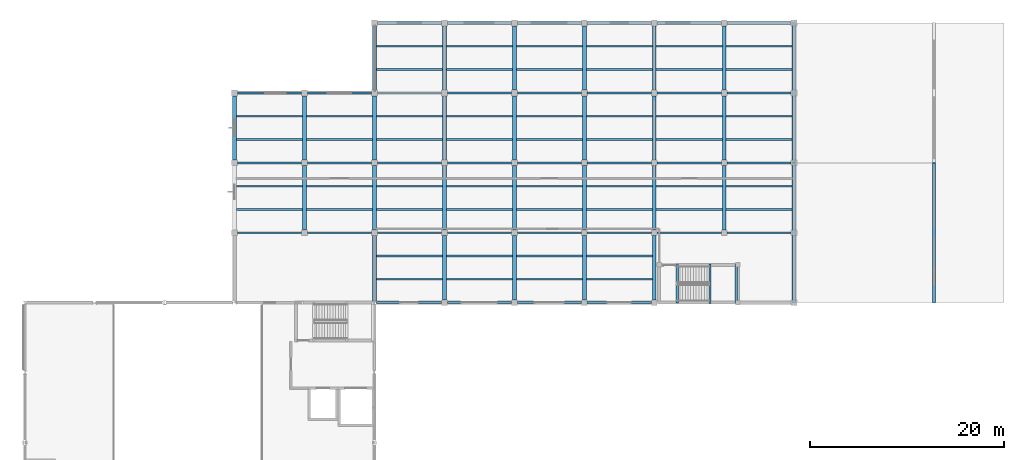
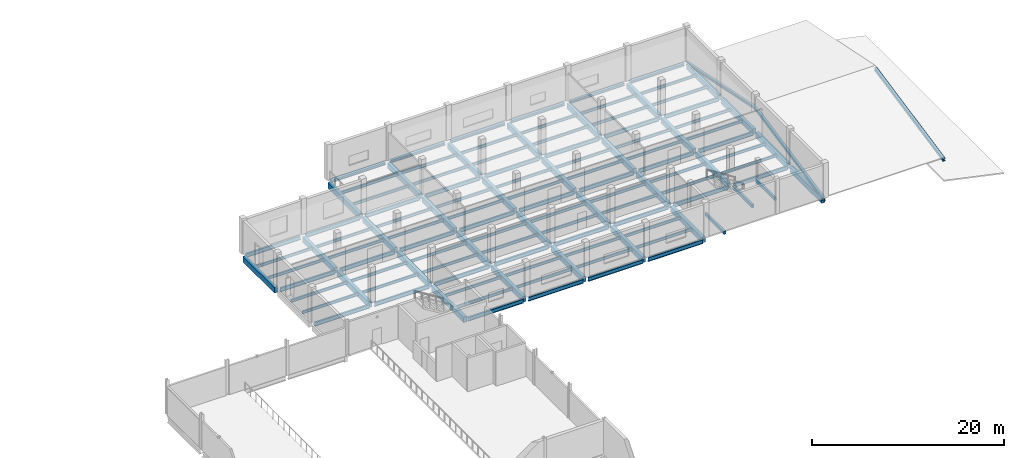
# One storey, part 29 of 76: 122 beams.
"""IFC4 building model written with IfcOpenShell, lengths in metres."""

from ifc_helpers import new_model, si_unit, direction, frame, origin, origin_2d, place, context, subcontext, project, spatial, rectangle, i_section, extrude, material, material_profile, profile_set, type_object, element, save


model = new_model("IFC4")

# Units and contexts
model_context = context("Model", 3, precision=1e-05, world=origin(), true_north=direction((0.0, 1.0)))
body_context = subcontext(model_context, "Body", "Model", "MODEL_VIEW")
ifc_project = project(units=[si_unit("LENGTHUNIT", "METRE"), si_unit("AREAUNIT", "SQUARE_METRE"), si_unit("VOLUMEUNIT", "CUBIC_METRE"), si_unit("PLANEANGLEUNIT", "RADIAN"), si_unit("MASSUNIT", "GRAM", prefix="KILO"), si_unit("THERMODYNAMICTEMPERATUREUNIT", "KELVIN"), si_unit("POWERUNIT", "WATT")], contexts=[model_context])

# Site, building, storey
site_placement = place(None, origin())
site = spatial("IfcSite", under=ifc_project, at=site_placement, CompositionType="ELEMENT")
building_placement = place(site_placement, origin())
building = spatial("IfcBuilding", under=site, at=building_placement, Name="Kaldorven Railside Theatre", CompositionType="ELEMENT")
storey_placement = place(building_placement, frame((0.0, 0.0, 14.39990234375)))
storey = spatial("IfcBuildingStorey", under=building, at=storey_placement, Name="L03", CompositionType="ELEMENT", Elevation=14.39990234375)

# Beams
ifc_material_1 = material(Name="Steel S355", Category="steel")
ifc_material_profile_1 = material_profile(ifc_material_1, i_section(OverallWidth=0.300048828125, OverallDepth=0.340087890625, WebThickness=0.011962890625, FlangeThickness=0.021484375, at=origin_2d()), Name="HEB 340")
ifc_profile_set_1 = profile_set([ifc_material_profile_1], Name="Steel S355")
beam_type_1 = type_object("IfcBeamType", Name="BM-HEB340", PredefinedType="SPANDREL", material=ifc_profile_set_1)
for number, where, z_axis, x_axis, name in (
    (1, (123.5, 141.60009765625, -0.449951171875), (1.0, 0.0, 0.0), (0.0, 1.0, 0.0), "L03 Girder BGX-L03-123-141"),
    (2, (130.699951171875, 141.60009765625, -0.449951171875), (1.0, 0.0, 0.0), (0.0, 1.0, 0.0), "L03 Girder BGX-L03-130-141"),
    (3, (137.89990234375, 141.60009765625, -0.449951171875), (1.0, 0.0, 0.0), (0.0, 1.0, 0.0), "L03 Girder BGX-L03-137-141"),
):
    element("IfcBeam", number, at=place(storey_placement, frame(where, z_axis=z_axis, x_axis=x_axis)), inside=storey, type_object=beam_type_1, Name=name, PredefinedType="SPANDREL", context=body_context, shape_type="SweptSolid", body=[
        extrude(i_section(OverallWidth=0.300048828125, OverallDepth=0.340087890625, WebThickness=0.011962890625, FlangeThickness=0.021484375, at=origin_2d()), origin(), (0.0, 0.0, 1.0), 6.60009765625),
    ])
for number, where, z_axis, x_axis, name in (
    (4, (145.10009765625, 141.60009765625, -0.449951171875), (1.0, 0.0, 0.0), (0.0, 1.0, 0.0), "L03 Girder BGX-L03-144-141"),
    (5, (152.300048828125, 141.60009765625, -0.449951171875), (1.0, 0.0, 0.0), (0.0, 1.0, 0.0), "L03 Girder BGX-L03-152-141"),
):
    element("IfcBeam", number, at=place(storey_placement, frame(where, z_axis=z_axis, x_axis=x_axis)), inside=storey, type_object=beam_type_1, Name=name, PredefinedType="SPANDREL", context=body_context, shape_type="SweptSolid", body=[
        extrude(i_section(OverallWidth=0.300048828125, OverallDepth=0.340087890625, WebThickness=0.011962890625, FlangeThickness=0.021484375, at=origin_2d()), origin(), (0.0, 0.0, 1.0), 6.599853515625),
    ])
beam_1_placement = place(storey_placement, frame((159.5, 141.60009765625, -0.449951171875), z_axis=(1.0, 0.0, 0.0), x_axis=(0.0, 1.0, 0.0)))
element("IfcBeam", 6, at=beam_1_placement, inside=storey, type_object=beam_type_1, Name="L03 Girder BGX-L03-159-141", PredefinedType="SPANDREL", context=body_context, shape_type="SweptSolid", body=[
    extrude(i_section(OverallWidth=0.300048828125, OverallDepth=0.340087890625, WebThickness=0.011962890625, FlangeThickness=0.021484375, at=origin_2d()), origin(), (0.0, 0.0, 1.0), 6.60009765625),
])
for number, where, z_axis, x_axis, name in (
    (7, (166.39990234375, 112.800048828125, -0.368408203125), (0.0, 0.979654560506, 0.200691160941), (-1.0, 0.0, 0.0), "Backstage Monsoon Roof Rafter RAF-165"),
    (8, (180.800048828125, 112.800048828125, -0.368408203125), (0.0, 0.979654560506, 0.200691160941), (-1.0, 0.0, 0.0), "Backstage Monsoon Roof Rafter RAF-166"),
):
    element("IfcBeam", number, at=place(storey_placement, frame(where, z_axis=z_axis, x_axis=x_axis)), inside=storey, type_object=beam_type_1, Name=name, PredefinedType="SPANDREL", context=body_context, shape_type="SweptSolid", body=[
        extrude(i_section(OverallWidth=0.300048828125, OverallDepth=0.340087890625, WebThickness=0.011962890625, FlangeThickness=0.021484375, at=origin_2d()), origin(), (0.0, 0.0, 1.0), 14.698974609375),
    ])
beam_2_placement = place(storey_placement, frame((166.39990234375, 127.199951171875, 2.58154296875), z_axis=(0.0, 0.979655229465, -0.200687895455), x_axis=(-1.0, 0.0, 0.0)))
element("IfcBeam", 9, at=beam_2_placement, inside=storey, type_object=beam_type_1, Name="Backstage Monsoon Roof Rafter RAF-167", PredefinedType="SPANDREL", context=body_context, shape_type="SweptSolid", body=[
    extrude(i_section(OverallWidth=0.300048828125, OverallDepth=0.340087890625, WebThickness=0.011962890625, FlangeThickness=0.021484375, at=origin_2d()), origin(), (0.0, 0.0, 1.0), 14.69921875),
])
ifc_material_profile_2 = material_profile(ifc_material_1, i_section(OverallWidth=0.169921875, OverallDepth=0.360107421875, WebThickness=0.008056640625, FlangeThickness=0.0126953125, at=origin_2d()), Name="IPE 360")
ifc_profile_set_2 = profile_set([ifc_material_profile_2], Name="Steel S355")
beam_type_2 = type_object("IfcBeamType", Name="BM-IPE360", PredefinedType="JOIST", material=ifc_profile_set_2)
for number, where, z_axis, x_axis, name in (
    (10, (123.39990234375, 115.199951171875, -0.4599609375), (1.0, 0.0, 0.0), (0.0, 1.0, 0.0), "L03 Secondary Floor Joist JG-L03-123-1152"),
    (11, (123.39990234375, 117.60009765625, -0.4599609375), (1.0, 0.0, 0.0), (0.0, 1.0, 0.0), "L03 Secondary Floor Joist JG-L03-123-1176"),
):
    element("IfcBeam", number, at=place(storey_placement, frame(where, z_axis=z_axis, x_axis=x_axis)), inside=storey, type_object=beam_type_2, Name=name, PredefinedType="JOIST", context=body_context, shape_type="SweptSolid", body=[
        extrude(i_section(OverallWidth=0.169921875, OverallDepth=0.360107421875, WebThickness=0.008056640625, FlangeThickness=0.0126953125, at=origin_2d()), origin(), (0.0, 0.0, 1.0), 6.800048828125),
    ])
for number, where, z_axis, x_axis, name in (
    (12, (130.60009765625, 115.199951171875, -0.4599609375), (1.0, 0.0, 0.0), (0.0, 1.0, 0.0), "L03 Secondary Floor Joist JG-L03-130-1152"),
    (13, (130.60009765625, 117.60009765625, -0.4599609375), (1.0, 0.0, 0.0), (0.0, 1.0, 0.0), "L03 Secondary Floor Joist JG-L03-130-1176"),
):
    element("IfcBeam", number, at=place(storey_placement, frame(where, z_axis=z_axis, x_axis=x_axis)), inside=storey, type_object=beam_type_2, Name=name, PredefinedType="JOIST", context=body_context, shape_type="SweptSolid", body=[
        extrude(i_section(OverallWidth=0.169921875, OverallDepth=0.360107421875, WebThickness=0.008056640625, FlangeThickness=0.0126953125, at=origin_2d()), origin(), (0.0, 0.0, 1.0), 6.7998046875),
    ])
for number, where, z_axis, x_axis, name in (
    (14, (137.800048828125, 115.199951171875, -0.4599609375), (1.0, 0.0, 0.0), (0.0, 1.0, 0.0), "L03 Secondary Floor Joist JG-L03-137-1152"),
    (15, (137.800048828125, 117.60009765625, -0.4599609375), (1.0, 0.0, 0.0), (0.0, 1.0, 0.0), "L03 Secondary Floor Joist JG-L03-137-1176"),
    (16, (145.0, 115.199951171875, -0.4599609375), (1.0, 0.0, 0.0), (0.0, 1.0, 0.0), "L03 Secondary Floor Joist JG-L03-144-1152"),
    (17, (145.0, 117.60009765625, -0.4599609375), (1.0, 0.0, 0.0), (0.0, 1.0, 0.0), "L03 Secondary Floor Joist JG-L03-144-1176"),
    (18, (109.0, 122.39990234375, -0.4599609375), (1.0, 0.0, 0.0), (0.0, 1.0, 0.0), "L03 Secondary Floor Joist JG-L03-108-1224"),
    (19, (109.0, 124.800048828125, -0.4599609375), (1.0, 0.0, 0.0), (0.0, 1.0, 0.0), "L03 Secondary Floor Joist JG-L03-108-1248"),
    (20, (116.199951171875, 122.39990234375, -0.4599609375), (1.0, 0.0, 0.0), (0.0, 1.0, 0.0), "L03 Secondary Floor Joist JG-L03-116-1224"),
    (21, (116.199951171875, 124.800048828125, -0.4599609375), (1.0, 0.0, 0.0), (0.0, 1.0, 0.0), "L03 Secondary Floor Joist JG-L03-116-1248"),
    (22, (123.39990234375, 122.39990234375, -0.4599609375), (1.0, 0.0, 0.0), (0.0, 1.0, 0.0), "L03 Secondary Floor Joist JG-L03-123-1224"),
    (23, (123.39990234375, 124.800048828125, -0.4599609375), (1.0, 0.0, 0.0), (0.0, 1.0, 0.0), "L03 Secondary Floor Joist JG-L03-123-1248"),
):
    element("IfcBeam", number, at=place(storey_placement, frame(where, z_axis=z_axis, x_axis=x_axis)), inside=storey, type_object=beam_type_2, Name=name, PredefinedType="JOIST", context=body_context, shape_type="SweptSolid", body=[
        extrude(i_section(OverallWidth=0.169921875, OverallDepth=0.360107421875, WebThickness=0.008056640625, FlangeThickness=0.0126953125, at=origin_2d()), origin(), (0.0, 0.0, 1.0), 6.800048828125),
    ])
for number, where, z_axis, x_axis, name in (
    (24, (130.60009765625, 122.39990234375, -0.4599609375), (1.0, 0.0, 0.0), (0.0, 1.0, 0.0), "L03 Secondary Floor Joist JG-L03-130-1224"),
    (25, (130.60009765625, 124.800048828125, -0.4599609375), (1.0, 0.0, 0.0), (0.0, 1.0, 0.0), "L03 Secondary Floor Joist JG-L03-130-1248"),
):
    element("IfcBeam", number, at=place(storey_placement, frame(where, z_axis=z_axis, x_axis=x_axis)), inside=storey, type_object=beam_type_2, Name=name, PredefinedType="JOIST", context=body_context, shape_type="SweptSolid", body=[
        extrude(i_section(OverallWidth=0.169921875, OverallDepth=0.360107421875, WebThickness=0.008056640625, FlangeThickness=0.0126953125, at=origin_2d()), origin(), (0.0, 0.0, 1.0), 6.7998046875),
    ])
for number, where, z_axis, x_axis, name in (
    (26, (137.800048828125, 122.39990234375, -0.4599609375), (1.0, 0.0, 0.0), (0.0, 1.0, 0.0), "L03 Secondary Floor Joist JG-L03-137-1224"),
    (27, (137.800048828125, 124.800048828125, -0.4599609375), (1.0, 0.0, 0.0), (0.0, 1.0, 0.0), "L03 Secondary Floor Joist JG-L03-137-1248"),
    (28, (145.0, 122.39990234375, -0.4599609375), (1.0, 0.0, 0.0), (0.0, 1.0, 0.0), "L03 Secondary Floor Joist JG-L03-144-1224"),
    (29, (145.0, 124.800048828125, -0.4599609375), (1.0, 0.0, 0.0), (0.0, 1.0, 0.0), "L03 Secondary Floor Joist JG-L03-144-1248"),
    (30, (152.199951171875, 122.39990234375, -0.4599609375), (1.0, 0.0, 0.0), (0.0, 1.0, 0.0), "L03 Secondary Floor Joist JG-L03-152-1224"),
    (31, (152.199951171875, 124.800048828125, -0.4599609375), (1.0, 0.0, 0.0), (0.0, 1.0, 0.0), "L03 Secondary Floor Joist JG-L03-152-1248"),
    (32, (159.39990234375, 122.39990234375, -0.4599609375), (1.0, 0.0, 0.0), (0.0, 1.0, 0.0), "L03 Secondary Floor Joist JG-L03-159-1224"),
    (33, (159.39990234375, 124.800048828125, -0.4599609375), (1.0, 0.0, 0.0), (0.0, 1.0, 0.0), "L03 Secondary Floor Joist JG-L03-159-1248"),
    (34, (109.0, 129.60009765625, -0.4599609375), (1.0, 0.0, 0.0), (0.0, 1.0, 0.0), "L03 Secondary Floor Joist JG-L03-108-1296"),
    (35, (109.0, 132.0, -0.4599609375), (1.0, 0.0, 0.0), (0.0, 1.0, 0.0), "L03 Secondary Floor Joist JG-L03-108-1320"),
    (36, (116.199951171875, 129.60009765625, -0.4599609375), (1.0, 0.0, 0.0), (0.0, 1.0, 0.0), "L03 Secondary Floor Joist JG-L03-116-1296"),
    (37, (116.199951171875, 132.0, -0.4599609375), (1.0, 0.0, 0.0), (0.0, 1.0, 0.0), "L03 Secondary Floor Joist JG-L03-116-1320"),
    (38, (123.39990234375, 129.60009765625, -0.4599609375), (1.0, 0.0, 0.0), (0.0, 1.0, 0.0), "L03 Secondary Floor Joist JG-L03-123-1296"),
    (39, (123.39990234375, 132.0, -0.4599609375), (1.0, 0.0, 0.0), (0.0, 1.0, 0.0), "L03 Secondary Floor Joist JG-L03-123-1320"),
):
    element("IfcBeam", number, at=place(storey_placement, frame(where, z_axis=z_axis, x_axis=x_axis)), inside=storey, type_object=beam_type_2, Name=name, PredefinedType="JOIST", context=body_context, shape_type="SweptSolid", body=[
        extrude(i_section(OverallWidth=0.169921875, OverallDepth=0.360107421875, WebThickness=0.008056640625, FlangeThickness=0.0126953125, at=origin_2d()), origin(), (0.0, 0.0, 1.0), 6.800048828125),
    ])
for number, where, z_axis, x_axis, name in (
    (40, (130.60009765625, 129.60009765625, -0.4599609375), (1.0, 0.0, 0.0), (0.0, 1.0, 0.0), "L03 Secondary Floor Joist JG-L03-130-1296"),
    (41, (130.60009765625, 132.0, -0.4599609375), (1.0, 0.0, 0.0), (0.0, 1.0, 0.0), "L03 Secondary Floor Joist JG-L03-130-1320"),
):
    element("IfcBeam", number, at=place(storey_placement, frame(where, z_axis=z_axis, x_axis=x_axis)), inside=storey, type_object=beam_type_2, Name=name, PredefinedType="JOIST", context=body_context, shape_type="SweptSolid", body=[
        extrude(i_section(OverallWidth=0.169921875, OverallDepth=0.360107421875, WebThickness=0.008056640625, FlangeThickness=0.0126953125, at=origin_2d()), origin(), (0.0, 0.0, 1.0), 6.7998046875),
    ])
for number, where, z_axis, x_axis, name in (
    (42, (137.800048828125, 129.60009765625, -0.4599609375), (1.0, 0.0, 0.0), (0.0, 1.0, 0.0), "L03 Secondary Floor Joist JG-L03-137-1296"),
    (43, (137.800048828125, 132.0, -0.4599609375), (1.0, 0.0, 0.0), (0.0, 1.0, 0.0), "L03 Secondary Floor Joist JG-L03-137-1320"),
    (44, (145.0, 129.60009765625, -0.4599609375), (1.0, 0.0, 0.0), (0.0, 1.0, 0.0), "L03 Secondary Floor Joist JG-L03-144-1296"),
    (45, (145.0, 132.0, -0.4599609375), (1.0, 0.0, 0.0), (0.0, 1.0, 0.0), "L03 Secondary Floor Joist JG-L03-144-1320"),
    (46, (152.199951171875, 129.60009765625, -0.4599609375), (1.0, 0.0, 0.0), (0.0, 1.0, 0.0), "L03 Secondary Floor Joist JG-L03-152-1296"),
    (47, (152.199951171875, 132.0, -0.4599609375), (1.0, 0.0, 0.0), (0.0, 1.0, 0.0), "L03 Secondary Floor Joist JG-L03-152-1320"),
    (48, (159.39990234375, 129.60009765625, -0.4599609375), (1.0, 0.0, 0.0), (0.0, 1.0, 0.0), "L03 Secondary Floor Joist JG-L03-159-1296"),
    (49, (159.39990234375, 132.0, -0.4599609375), (1.0, 0.0, 0.0), (0.0, 1.0, 0.0), "L03 Secondary Floor Joist JG-L03-159-1320"),
    (50, (123.39990234375, 136.800048828125, -0.4599609375), (1.0, 0.0, 0.0), (0.0, 1.0, 0.0), "L03 Secondary Floor Joist JG-L03-123-1368"),
    (51, (123.39990234375, 139.199951171875, -0.4599609375), (1.0, 0.0, 0.0), (0.0, 1.0, 0.0), "L03 Secondary Floor Joist JG-L03-123-1392"),
):
    element("IfcBeam", number, at=place(storey_placement, frame(where, z_axis=z_axis, x_axis=x_axis)), inside=storey, type_object=beam_type_2, Name=name, PredefinedType="JOIST", context=body_context, shape_type="SweptSolid", body=[
        extrude(i_section(OverallWidth=0.169921875, OverallDepth=0.360107421875, WebThickness=0.008056640625, FlangeThickness=0.0126953125, at=origin_2d()), origin(), (0.0, 0.0, 1.0), 6.800048828125),
    ])
for number, where, z_axis, x_axis, name in (
    (52, (130.60009765625, 136.800048828125, -0.4599609375), (1.0, 0.0, 0.0), (0.0, 1.0, 0.0), "L03 Secondary Floor Joist JG-L03-130-1368"),
    (53, (130.60009765625, 139.199951171875, -0.4599609375), (1.0, 0.0, 0.0), (0.0, 1.0, 0.0), "L03 Secondary Floor Joist JG-L03-130-1392"),
):
    element("IfcBeam", number, at=place(storey_placement, frame(where, z_axis=z_axis, x_axis=x_axis)), inside=storey, type_object=beam_type_2, Name=name, PredefinedType="JOIST", context=body_context, shape_type="SweptSolid", body=[
        extrude(i_section(OverallWidth=0.169921875, OverallDepth=0.360107421875, WebThickness=0.008056640625, FlangeThickness=0.0126953125, at=origin_2d()), origin(), (0.0, 0.0, 1.0), 6.7998046875),
    ])
for number, where, z_axis, x_axis, name in (
    (54, (137.800048828125, 136.800048828125, -0.4599609375), (1.0, 0.0, 0.0), (0.0, 1.0, 0.0), "L03 Secondary Floor Joist JG-L03-137-1368"),
    (55, (137.800048828125, 139.199951171875, -0.4599609375), (1.0, 0.0, 0.0), (0.0, 1.0, 0.0), "L03 Secondary Floor Joist JG-L03-137-1392"),
    (56, (145.0, 136.800048828125, -0.4599609375), (1.0, 0.0, 0.0), (0.0, 1.0, 0.0), "L03 Secondary Floor Joist JG-L03-144-1368"),
    (57, (145.0, 139.199951171875, -0.4599609375), (1.0, 0.0, 0.0), (0.0, 1.0, 0.0), "L03 Secondary Floor Joist JG-L03-144-1392"),
    (58, (152.199951171875, 136.800048828125, -0.4599609375), (1.0, 0.0, 0.0), (0.0, 1.0, 0.0), "L03 Secondary Floor Joist JG-L03-152-1368"),
    (59, (152.199951171875, 139.199951171875, -0.4599609375), (1.0, 0.0, 0.0), (0.0, 1.0, 0.0), "L03 Secondary Floor Joist JG-L03-152-1392"),
    (60, (159.39990234375, 136.800048828125, -0.4599609375), (1.0, 0.0, 0.0), (0.0, 1.0, 0.0), "L03 Secondary Floor Joist JG-L03-159-1368"),
    (61, (159.39990234375, 139.199951171875, -0.4599609375), (1.0, 0.0, 0.0), (0.0, 1.0, 0.0), "L03 Secondary Floor Joist JG-L03-159-1392"),
):
    element("IfcBeam", number, at=place(storey_placement, frame(where, z_axis=z_axis, x_axis=x_axis)), inside=storey, type_object=beam_type_2, Name=name, PredefinedType="JOIST", context=body_context, shape_type="SweptSolid", body=[
        extrude(i_section(OverallWidth=0.169921875, OverallDepth=0.360107421875, WebThickness=0.008056640625, FlangeThickness=0.0126953125, at=origin_2d()), origin(), (0.0, 0.0, 1.0), 6.800048828125),
    ])
ifc_material_profile_3 = material_profile(ifc_material_1, i_section(OverallWidth=0.199951171875, OverallDepth=0.5, WebThickness=0.01025390625, FlangeThickness=0.01611328125, at=origin_2d()), Name="IPE 500")
ifc_profile_set_3 = profile_set([ifc_material_profile_3], Name="Steel S355")
beam_type_3 = type_object("IfcBeamType", Name="BM-IPE500", PredefinedType="BEAM", material=ifc_profile_set_3)
beam_3_placement = place(storey_placement, frame((123.38623046875, 112.800048828125, -0.52978515625), z_axis=(1.0, 0.0, 0.0), x_axis=(0.0, 1.0, 0.0)))
element("IfcBeam", 62, at=beam_3_placement, inside=storey, type_object=beam_type_3, Name="L03 Girder BGX-L03-123-112", PredefinedType="BEAM", context=body_context, shape_type="SweptSolid", body=[
    extrude(i_section(OverallWidth=0.199951171875, OverallDepth=0.5, WebThickness=0.01025390625, FlangeThickness=0.01611328125, at=origin_2d()), origin(), (0.0, 0.0, 1.0), 6.7138671875),
])
for number, where, z_axis, x_axis, name in (
    (63, (130.699951171875, 112.800048828125, -0.52978515625), (1.0, 0.0, 0.0), (0.0, 1.0, 0.0), "L03 Girder BGX-L03-130-112"),
    (64, (137.89990234375, 112.800048828125, -0.52978515625), (1.0, 0.0, 0.0), (0.0, 1.0, 0.0), "L03 Girder BGX-L03-137-112"),
):
    element("IfcBeam", number, at=place(storey_placement, frame(where, z_axis=z_axis, x_axis=x_axis)), inside=storey, type_object=beam_type_3, Name=name, PredefinedType="BEAM", context=body_context, shape_type="SweptSolid", body=[
        extrude(i_section(OverallWidth=0.199951171875, OverallDepth=0.5, WebThickness=0.01025390625, FlangeThickness=0.01611328125, at=origin_2d()), origin(), (0.0, 0.0, 1.0), 6.60009765625),
    ])
for number, where, z_axis, x_axis, name in (
    (65, (145.10009765625, 112.800048828125, -0.52978515625), (1.0, 0.0, 0.0), (0.0, 1.0, 0.0), "L03 Girder BGX-L03-144-112"),
    (66, (109.10009765625, 120.0, -0.52978515625), (1.0, 0.0, 0.0), (0.0, 1.0, 0.0), "L03 Girder BGX-L03-108-120"),
    (67, (116.300048828125, 120.0, -0.52978515625), (1.0, 0.0, 0.0), (0.0, 1.0, 0.0), "L03 Girder BGX-L03-116-120"),
):
    element("IfcBeam", number, at=place(storey_placement, frame(where, z_axis=z_axis, x_axis=x_axis)), inside=storey, type_object=beam_type_3, Name=name, PredefinedType="BEAM", context=body_context, shape_type="SweptSolid", body=[
        extrude(i_section(OverallWidth=0.199951171875, OverallDepth=0.5, WebThickness=0.01025390625, FlangeThickness=0.01611328125, at=origin_2d()), origin(), (0.0, 0.0, 1.0), 6.599853515625),
    ])
for number, where, z_axis, x_axis, name in (
    (68, (123.5, 120.0, -0.52978515625), (1.0, 0.0, 0.0), (0.0, 1.0, 0.0), "L03 Girder BGX-L03-123-120"),
    (69, (130.699951171875, 120.0, -0.52978515625), (1.0, 0.0, 0.0), (0.0, 1.0, 0.0), "L03 Girder BGX-L03-130-120"),
    (70, (137.89990234375, 120.0, -0.52978515625), (1.0, 0.0, 0.0), (0.0, 1.0, 0.0), "L03 Girder BGX-L03-137-120"),
):
    element("IfcBeam", number, at=place(storey_placement, frame(where, z_axis=z_axis, x_axis=x_axis)), inside=storey, type_object=beam_type_3, Name=name, PredefinedType="BEAM", context=body_context, shape_type="SweptSolid", body=[
        extrude(i_section(OverallWidth=0.199951171875, OverallDepth=0.5, WebThickness=0.01025390625, FlangeThickness=0.01611328125, at=origin_2d()), origin(), (0.0, 0.0, 1.0), 6.60009765625),
    ])
for number, where, z_axis, x_axis, name in (
    (71, (145.10009765625, 120.0, -0.52978515625), (1.0, 0.0, 0.0), (0.0, 1.0, 0.0), "L03 Girder BGX-L03-144-120"),
    (72, (152.300048828125, 120.0, -0.52978515625), (1.0, 0.0, 0.0), (0.0, 1.0, 0.0), "L03 Girder BGX-L03-152-120"),
):
    element("IfcBeam", number, at=place(storey_placement, frame(where, z_axis=z_axis, x_axis=x_axis)), inside=storey, type_object=beam_type_3, Name=name, PredefinedType="BEAM", context=body_context, shape_type="SweptSolid", body=[
        extrude(i_section(OverallWidth=0.199951171875, OverallDepth=0.5, WebThickness=0.01025390625, FlangeThickness=0.01611328125, at=origin_2d()), origin(), (0.0, 0.0, 1.0), 6.599853515625),
    ])
beam_4_placement = place(storey_placement, frame((159.5, 120.0, -0.52978515625), z_axis=(1.0, 0.0, 0.0), x_axis=(0.0, 1.0, 0.0)))
element("IfcBeam", 73, at=beam_4_placement, inside=storey, type_object=beam_type_3, Name="L03 Girder BGX-L03-159-120", PredefinedType="BEAM", context=body_context, shape_type="SweptSolid", body=[
    extrude(i_section(OverallWidth=0.199951171875, OverallDepth=0.5, WebThickness=0.01025390625, FlangeThickness=0.01611328125, at=origin_2d()), origin(), (0.0, 0.0, 1.0), 6.60009765625),
])
for number, where, z_axis, x_axis, name in (
    (74, (109.10009765625, 127.199951171875, -0.52978515625), (1.0, 0.0, 0.0), (0.0, 1.0, 0.0), "L03 Girder BGX-L03-108-127"),
    (75, (116.300048828125, 127.199951171875, -0.52978515625), (1.0, 0.0, 0.0), (0.0, 1.0, 0.0), "L03 Girder BGX-L03-116-127"),
):
    element("IfcBeam", number, at=place(storey_placement, frame(where, z_axis=z_axis, x_axis=x_axis)), inside=storey, type_object=beam_type_3, Name=name, PredefinedType="BEAM", context=body_context, shape_type="SweptSolid", body=[
        extrude(i_section(OverallWidth=0.199951171875, OverallDepth=0.5, WebThickness=0.01025390625, FlangeThickness=0.01611328125, at=origin_2d()), origin(), (0.0, 0.0, 1.0), 6.599853515625),
    ])
for number, where, z_axis, x_axis, name in (
    (76, (123.5, 127.199951171875, -0.52978515625), (1.0, 0.0, 0.0), (0.0, 1.0, 0.0), "L03 Girder BGX-L03-123-127"),
    (77, (130.699951171875, 127.199951171875, -0.52978515625), (1.0, 0.0, 0.0), (0.0, 1.0, 0.0), "L03 Girder BGX-L03-130-127"),
    (78, (137.89990234375, 127.199951171875, -0.52978515625), (1.0, 0.0, 0.0), (0.0, 1.0, 0.0), "L03 Girder BGX-L03-137-127"),
):
    element("IfcBeam", number, at=place(storey_placement, frame(where, z_axis=z_axis, x_axis=x_axis)), inside=storey, type_object=beam_type_3, Name=name, PredefinedType="BEAM", context=body_context, shape_type="SweptSolid", body=[
        extrude(i_section(OverallWidth=0.199951171875, OverallDepth=0.5, WebThickness=0.01025390625, FlangeThickness=0.01611328125, at=origin_2d()), origin(), (0.0, 0.0, 1.0), 6.60009765625),
    ])
for number, where, z_axis, x_axis, name in (
    (79, (145.10009765625, 127.199951171875, -0.52978515625), (1.0, 0.0, 0.0), (0.0, 1.0, 0.0), "L03 Girder BGX-L03-144-127"),
    (80, (152.300048828125, 127.199951171875, -0.52978515625), (1.0, 0.0, 0.0), (0.0, 1.0, 0.0), "L03 Girder BGX-L03-152-127"),
):
    element("IfcBeam", number, at=place(storey_placement, frame(where, z_axis=z_axis, x_axis=x_axis)), inside=storey, type_object=beam_type_3, Name=name, PredefinedType="BEAM", context=body_context, shape_type="SweptSolid", body=[
        extrude(i_section(OverallWidth=0.199951171875, OverallDepth=0.5, WebThickness=0.01025390625, FlangeThickness=0.01611328125, at=origin_2d()), origin(), (0.0, 0.0, 1.0), 6.599853515625),
    ])
beam_5_placement = place(storey_placement, frame((159.5, 127.199951171875, -0.52978515625), z_axis=(1.0, 0.0, 0.0), x_axis=(0.0, 1.0, 0.0)))
element("IfcBeam", 81, at=beam_5_placement, inside=storey, type_object=beam_type_3, Name="L03 Girder BGX-L03-159-127", PredefinedType="BEAM", context=body_context, shape_type="SweptSolid", body=[
    extrude(i_section(OverallWidth=0.199951171875, OverallDepth=0.5, WebThickness=0.01025390625, FlangeThickness=0.01611328125, at=origin_2d()), origin(), (0.0, 0.0, 1.0), 6.60009765625),
])
for number, where, z_axis, x_axis, name in (
    (82, (109.10009765625, 134.39990234375, -0.52978515625), (1.0, 0.0, 0.0), (0.0, 1.0, 0.0), "L03 Girder BGX-L03-108-134"),
    (83, (116.300048828125, 134.39990234375, -0.52978515625), (1.0, 0.0, 0.0), (0.0, 1.0, 0.0), "L03 Girder BGX-L03-116-134"),
):
    element("IfcBeam", number, at=place(storey_placement, frame(where, z_axis=z_axis, x_axis=x_axis)), inside=storey, type_object=beam_type_3, Name=name, PredefinedType="BEAM", context=body_context, shape_type="SweptSolid", body=[
        extrude(i_section(OverallWidth=0.199951171875, OverallDepth=0.5, WebThickness=0.01025390625, FlangeThickness=0.01611328125, at=origin_2d()), origin(), (0.0, 0.0, 1.0), 6.599853515625),
    ])
for number, where, z_axis, x_axis, name in (
    (84, (123.5, 134.39990234375, -0.52978515625), (1.0, 0.0, 0.0), (0.0, 1.0, 0.0), "L03 Girder BGX-L03-123-134"),
    (85, (130.699951171875, 134.39990234375, -0.52978515625), (1.0, 0.0, 0.0), (0.0, 1.0, 0.0), "L03 Girder BGX-L03-130-134"),
    (86, (137.89990234375, 134.39990234375, -0.52978515625), (1.0, 0.0, 0.0), (0.0, 1.0, 0.0), "L03 Girder BGX-L03-137-134"),
):
    element("IfcBeam", number, at=place(storey_placement, frame(where, z_axis=z_axis, x_axis=x_axis)), inside=storey, type_object=beam_type_3, Name=name, PredefinedType="BEAM", context=body_context, shape_type="SweptSolid", body=[
        extrude(i_section(OverallWidth=0.199951171875, OverallDepth=0.5, WebThickness=0.01025390625, FlangeThickness=0.01611328125, at=origin_2d()), origin(), (0.0, 0.0, 1.0), 6.60009765625),
    ])
for number, where, z_axis, x_axis, name in (
    (87, (145.10009765625, 134.39990234375, -0.52978515625), (1.0, 0.0, 0.0), (0.0, 1.0, 0.0), "L03 Girder BGX-L03-144-134"),
    (88, (152.300048828125, 134.39990234375, -0.52978515625), (1.0, 0.0, 0.0), (0.0, 1.0, 0.0), "L03 Girder BGX-L03-152-134"),
):
    element("IfcBeam", number, at=place(storey_placement, frame(where, z_axis=z_axis, x_axis=x_axis)), inside=storey, type_object=beam_type_3, Name=name, PredefinedType="BEAM", context=body_context, shape_type="SweptSolid", body=[
        extrude(i_section(OverallWidth=0.199951171875, OverallDepth=0.5, WebThickness=0.01025390625, FlangeThickness=0.01611328125, at=origin_2d()), origin(), (0.0, 0.0, 1.0), 6.599853515625),
    ])
beam_6_placement = place(storey_placement, frame((159.5, 134.39990234375, -0.52978515625), z_axis=(1.0, 0.0, 0.0), x_axis=(0.0, 1.0, 0.0)))
element("IfcBeam", 89, at=beam_6_placement, inside=storey, type_object=beam_type_3, Name="L03 Girder BGX-L03-159-134", PredefinedType="BEAM", context=body_context, shape_type="SweptSolid", body=[
    extrude(i_section(OverallWidth=0.199951171875, OverallDepth=0.5, WebThickness=0.01025390625, FlangeThickness=0.01611328125, at=origin_2d()), origin(), (0.0, 0.0, 1.0), 6.60009765625),
])
ifc_material_2 = material(Name="Concrete C40/50", Category="concrete")
ifc_material_profile_4 = material_profile(ifc_material_2, rectangle(XDim=0.25, YDim=0.39990234375, at=origin_2d()), Name="RC 250x400")
ifc_profile_set_4 = profile_set([ifc_material_profile_4], Name="Concrete C40/50")
beam_type_4 = type_object("IfcBeamType", Name="BM-RC250x400", PredefinedType="LINTEL", material=ifc_profile_set_4)
beam_7_placement = place(storey_placement, frame((154.35009765625, 112.77001953125, -0.344970703125), z_axis=(0.0, 1.0, 0.0), x_axis=(-1.0, 0.0, 0.0)))
element("IfcBeam", 90, at=beam_7_placement, inside=storey, type_object=beam_type_4, Name="Stair ST-08 L03 Landing Trimmer Beam", PredefinedType="LINTEL", context=body_context, shape_type="SweptSolid", body=[
    extrude(rectangle(XDim=0.25, YDim=0.39990234375, at=origin_2d()), origin(), (0.0, 0.0, 1.0), 3.9599609375),
])
for number, where, z_axis, x_axis, name in (
    (91, (157.735107421875, 112.739990234375, 1.85009765625), (0.0, 1.0, 0.0), (-1.0, 0.0, 0.0), "Stair ST-08 L03 Half-Landing Bearer"),
    (92, (160.429931640625, 112.739990234375, 1.85009765625), (0.0, 1.0, 0.0), (-1.0, 0.0, 0.0), "Stair ST-08 L03 Half-Landing Bearer"),
):
    element("IfcBeam", number, at=place(storey_placement, frame(where, z_axis=z_axis, x_axis=x_axis)), inside=storey, type_object=beam_type_4, Name=name, PredefinedType="LINTEL", context=body_context, shape_type="SweptSolid", body=[
        extrude(rectangle(XDim=0.25, YDim=0.39990234375, at=origin_2d()), origin(), (0.0, 0.0, 1.0), 4.02001953125),
    ])
ifc_material_profile_5 = material_profile(ifc_material_2, rectangle(XDim=0.39990234375, YDim=0.699951171875, at=origin_2d()), Name="RC 400x700")
ifc_profile_set_5 = profile_set([ifc_material_profile_5], Name="Concrete C40/50")
beam_type_5 = type_object("IfcBeamType", Name="BM-RC400x700", PredefinedType="BEAM", material=ifc_profile_set_5)
beam_8_placement = place(storey_placement, frame((123.199951171875, 112.984130859375, -0.6298828125), z_axis=(0.0, 1.0, 0.0), x_axis=(-1.0, 0.0, 0.0)))
element("IfcBeam", 93, at=beam_8_placement, inside=storey, type_object=beam_type_5, Name="L03 Girder BGY-L03-123-112-72", PredefinedType="BEAM", context=body_context, shape_type="SweptSolid", body=[
    extrude(rectangle(XDim=0.39990234375, YDim=0.699951171875, at=origin_2d()), origin(), (0.0, 0.0, 1.0), 6.7158203125),
])
for number, where, z_axis, x_axis, name in (
    (94, (130.39990234375, 113.10009765625, -0.6298828125), (0.0, 1.0, 0.0), (-1.0, 0.0, 0.0), "L03 Girder BGY-L03-130-112-72"),
    (95, (137.60009765625, 113.10009765625, -0.6298828125), (0.0, 1.0, 0.0), (-1.0, 0.0, 0.0), "L03 Girder BGY-L03-137-112-72"),
    (96, (144.800048828125, 113.10009765625, -0.6298828125), (0.0, 1.0, 0.0), (-1.0, 0.0, 0.0), "L03 Girder BGY-L03-144-112-72"),
    (97, (152.0, 113.10009765625, -0.6298828125), (0.0, 1.0, 0.0), (-1.0, 0.0, 0.0), "L03 Girder BGY-L03-152-112-72"),
    (98, (166.39990234375, 113.10009765625, -0.6298828125), (0.0, 1.0, 0.0), (-1.0, 0.0, 0.0), "L03 Girder BGY-L03-166-112-72"),
    (99, (116.0, 120.300048828125, -0.6298828125), (0.0, 1.0, 0.0), (-1.0, 0.0, 0.0), "L03 Girder BGY-L03-116-120-72"),
    (100, (123.199951171875, 120.300048828125, -0.6298828125), (0.0, 1.0, 0.0), (-1.0, 0.0, 0.0), "L03 Girder BGY-L03-123-120-72"),
    (101, (130.39990234375, 120.300048828125, -0.6298828125), (0.0, 1.0, 0.0), (-1.0, 0.0, 0.0), "L03 Girder BGY-L03-130-120-72"),
    (102, (137.60009765625, 120.300048828125, -0.6298828125), (0.0, 1.0, 0.0), (-1.0, 0.0, 0.0), "L03 Girder BGY-L03-137-120-72"),
    (103, (144.800048828125, 120.300048828125, -0.6298828125), (0.0, 1.0, 0.0), (-1.0, 0.0, 0.0), "L03 Girder BGY-L03-144-120-72"),
    (104, (152.0, 120.300048828125, -0.6298828125), (0.0, 1.0, 0.0), (-1.0, 0.0, 0.0), "L03 Girder BGY-L03-152-120-72"),
    (105, (159.199951171875, 120.300048828125, -0.6298828125), (0.0, 1.0, 0.0), (-1.0, 0.0, 0.0), "L03 Girder BGY-L03-159-120-72"),
    (106, (166.39990234375, 120.300048828125, -0.6298828125), (0.0, 1.0, 0.0), (-1.0, 0.0, 0.0), "L03 Girder BGY-L03-166-120-72"),
):
    element("IfcBeam", number, at=place(storey_placement, frame(where, z_axis=z_axis, x_axis=x_axis)), inside=storey, type_object=beam_type_5, Name=name, PredefinedType="BEAM", context=body_context, shape_type="SweptSolid", body=[
        extrude(rectangle(XDim=0.39990234375, YDim=0.699951171875, at=origin_2d()), origin(), (0.0, 0.0, 1.0), 6.599853515625),
    ])
for number, where, z_axis, x_axis, name in (
    (107, (108.800048828125, 127.5, -0.6298828125), (0.0, 1.0, 0.0), (-1.0, 0.0, 0.0), "L03 Girder BGY-L03-108-127-72"),
    (108, (116.0, 127.5, -0.6298828125), (0.0, 1.0, 0.0), (-1.0, 0.0, 0.0), "L03 Girder BGY-L03-116-127-72"),
    (109, (123.199951171875, 127.5, -0.6298828125), (0.0, 1.0, 0.0), (-1.0, 0.0, 0.0), "L03 Girder BGY-L03-123-127-72"),
    (110, (130.39990234375, 127.5, -0.6298828125), (0.0, 1.0, 0.0), (-1.0, 0.0, 0.0), "L03 Girder BGY-L03-130-127-72"),
    (111, (137.60009765625, 127.5, -0.6298828125), (0.0, 1.0, 0.0), (-1.0, 0.0, 0.0), "L03 Girder BGY-L03-137-127-72"),
    (112, (144.800048828125, 127.5, -0.6298828125), (0.0, 1.0, 0.0), (-1.0, 0.0, 0.0), "L03 Girder BGY-L03-144-127-72"),
    (113, (152.0, 127.5, -0.6298828125), (0.0, 1.0, 0.0), (-1.0, 0.0, 0.0), "L03 Girder BGY-L03-152-127-72"),
    (114, (159.199951171875, 127.5, -0.6298828125), (0.0, 1.0, 0.0), (-1.0, 0.0, 0.0), "L03 Girder BGY-L03-159-127-72"),
    (115, (166.39990234375, 127.5, -0.6298828125), (0.0, 1.0, 0.0), (-1.0, 0.0, 0.0), "L03 Girder BGY-L03-166-127-72"),
    (116, (123.199951171875, 134.699951171875, -0.6298828125), (0.0, 1.0, 0.0), (-1.0, 0.0, 0.0), "L03 Girder BGY-L03-123-134-72"),
    (117, (130.39990234375, 134.699951171875, -0.6298828125), (0.0, 1.0, 0.0), (-1.0, 0.0, 0.0), "L03 Girder BGY-L03-130-134-72"),
    (118, (137.60009765625, 134.699951171875, -0.6298828125), (0.0, 1.0, 0.0), (-1.0, 0.0, 0.0), "L03 Girder BGY-L03-137-134-72"),
    (119, (144.800048828125, 134.699951171875, -0.6298828125), (0.0, 1.0, 0.0), (-1.0, 0.0, 0.0), "L03 Girder BGY-L03-144-134-72"),
    (120, (152.0, 134.699951171875, -0.6298828125), (0.0, 1.0, 0.0), (-1.0, 0.0, 0.0), "L03 Girder BGY-L03-152-134-72"),
    (121, (159.199951171875, 134.699951171875, -0.6298828125), (0.0, 1.0, 0.0), (-1.0, 0.0, 0.0), "L03 Girder BGY-L03-159-134-72"),
    (122, (166.39990234375, 134.699951171875, -0.6298828125), (0.0, 1.0, 0.0), (-1.0, 0.0, 0.0), "L03 Girder BGY-L03-166-134-72"),
):
    element("IfcBeam", number, at=place(storey_placement, frame(where, z_axis=z_axis, x_axis=x_axis)), inside=storey, type_object=beam_type_5, Name=name, PredefinedType="BEAM", context=body_context, shape_type="SweptSolid", body=[
        extrude(rectangle(XDim=0.39990234375, YDim=0.699951171875, at=origin_2d()), origin(), (0.0, 0.0, 1.0), 6.60009765625),
    ])

save(model, "model.ifc")
